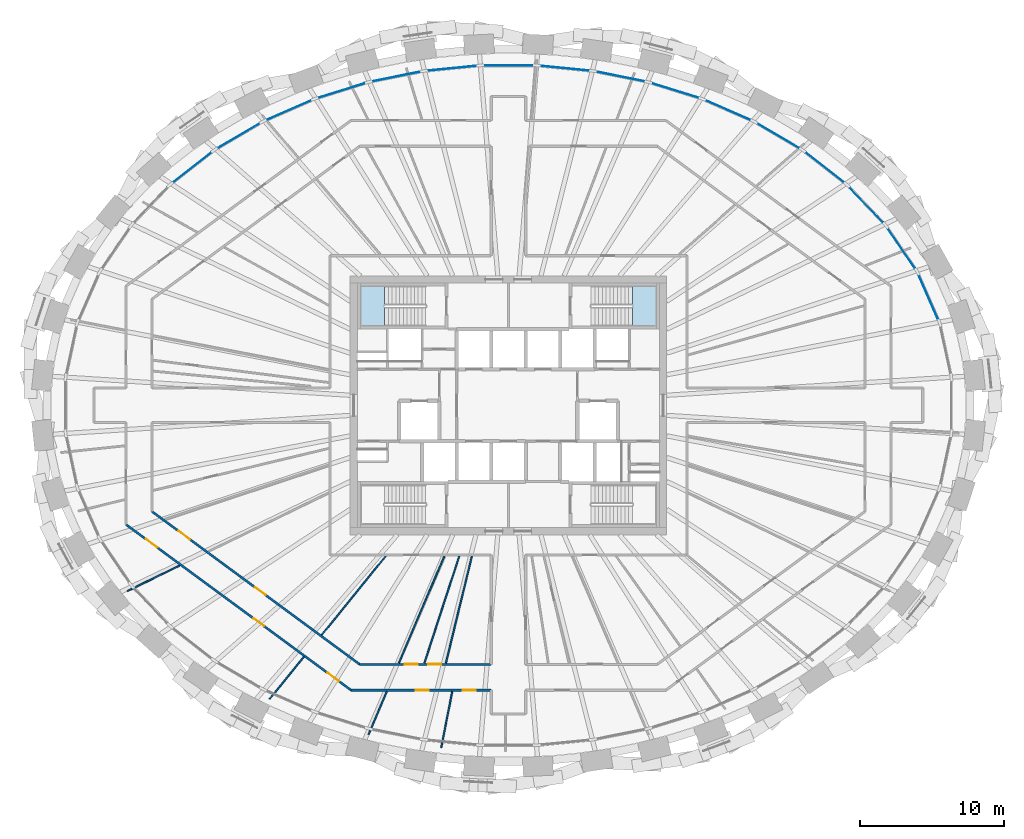
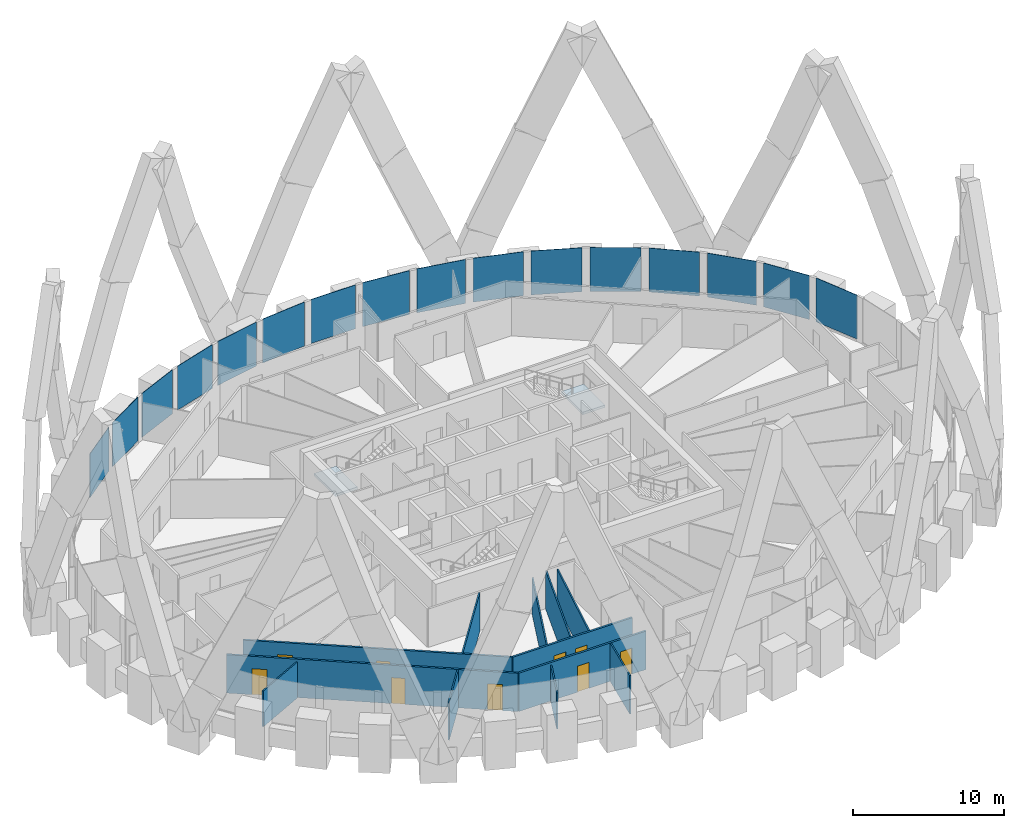
# One storey, part 7 of 15: 16 plates, 12 walls, 9 doors, 2 slabs, 9 openings, 3 elements without a shape of their own.
"""IFC4 building model written with IfcOpenShell, lengths in metres."""

from ifc_helpers import new_model, si_unit, direction, frame, frame_2d, origin, origin_2d, place, context, subcontext, project, spatial, polyline, rectangle, outline, extrude, source, transform, mapped, material, layer, layer_set, type_object, element, fill, aggregate, save


model = new_model("IFC4")

# Units and contexts
model_context = context("Model", 3, precision=1e-05, world=origin(), true_north=direction((0.0, 1.0)))
body_context = subcontext(model_context, "Body", "Model", "MODEL_VIEW")
ifc_project = project(units=[si_unit("LENGTHUNIT", "METRE"), si_unit("AREAUNIT", "SQUARE_METRE"), si_unit("VOLUMEUNIT", "CUBIC_METRE"), si_unit("PLANEANGLEUNIT", "RADIAN"), si_unit("MASSUNIT", "GRAM", prefix="KILO")], contexts=[model_context])

# Site, building, storey
site_placement = place(None, origin())
site = spatial("IfcSite", under=ifc_project, at=site_placement, CompositionType="ELEMENT")
building_placement = place(site_placement, origin())
building = spatial("IfcBuilding", under=site, at=building_placement, Name="Embergate Tower", CompositionType="ELEMENT")
storey_placement = place(building_placement, frame((0.0, 0.0, 277.300048828125)))
storey = spatial("IfcBuildingStorey", under=building, at=storey_placement, Name="L64", CompositionType="ELEMENT", Elevation=277.300048828125)

# Curtain wall, plates
ifc_material_1 = material(Name="Aluminium and glass", Category="aluminium")
curtain_wall_type = type_object("IfcCurtainWallType", Name="Recessed office glazing", PredefinedType="NOTDEFINED", material=ifc_material_1)
curtain_wall_placement = place(storey_placement, origin())
curtain_wall = element("IfcCurtainWall", 1, at=curtain_wall_placement, inside=storey, type_object=curtain_wall_type, Name="Recessed office glazing ring", ObjectType="RECESSED OFFICE GLAZING", PredefinedType="USERDEFINED")
ifc_material_2 = material(Name="Triple glazing, low-emissivity coating", Category="glass")
ifc_layer_1 = layer(ifc_material_2, 0.035888671875)
ifc_layer_set_1 = layer_set([ifc_layer_1], Name="Triple glazing, low-emissivity coating")
plate_type = type_object("IfcPlateType", Name="Office glazing unit", PredefinedType="CURTAIN_PANEL", material=ifc_layer_set_1)
shared_shape_1 = source(origin(), body_context, "Body", "SweptSolid", [
    extrude(rectangle(XDim=3.36572265625, YDim=0.035888671875, at=origin_2d()), origin(), (0.0, 0.0, 1.0), 3.550048828125),
])
plate_1_placement = place(storey_placement, frame((29.1826171875, 7.509765625, 0.14990234375), z_axis=(0.0, 0.0, 1.0), x_axis=(-0.401658494584, 0.915789524797, 0.0)))
plate_1 = element("IfcPlate", 2, at=plate_1_placement, type_object=plate_type, Name="CW panel 2.1", PredefinedType="CURTAIN_PANEL", context=body_context, shape_type="MappedRepresentation", body=[
    mapped(shared_shape_1, transform((0.0, 0.0, 0.0))),
])
shared_shape_2 = source(origin(), body_context, "Body", "SweptSolid", [
    extrude(rectangle(XDim=3.37451171875, YDim=0.035888671875, at=origin_2d()), origin(), (0.0, 0.0, 1.0), 3.550048828125),
])
plate_2_placement = place(storey_placement, frame((27.30712890625, 10.899169921875, 0.14990234375), z_axis=(0.0, 0.0, 1.0), x_axis=(-0.562347514787, 0.826901005328, 0.0)))
plate_2 = element("IfcPlate", 3, at=plate_2_placement, type_object=plate_type, Name="CW panel 3.1", PredefinedType="CURTAIN_PANEL", context=body_context, shape_type="MappedRepresentation", body=[
    mapped(shared_shape_2, transform((0.0, 0.0, 0.0))),
])
shared_shape_3 = source(origin(), body_context, "Body", "SweptSolid", [
    extrude(rectangle(XDim=3.3828125, YDim=0.035888671875, at=origin_2d()), origin(), (0.0, 0.0, 1.0), 3.550048828125),
])
plate_3_placement = place(storey_placement, frame((24.865478515625, 13.921630859375, 0.14990234375), z_axis=(0.0, 0.0, 1.0), x_axis=(-0.6901388367, 0.723676990154, 0.0)))
plate_3 = element("IfcPlate", 4, at=plate_3_placement, type_object=plate_type, Name="CW panel 4.1", PredefinedType="CURTAIN_PANEL", context=body_context, shape_type="MappedRepresentation", body=[
    mapped(shared_shape_3, transform((0.0, 0.0, 0.0))),
])
shared_shape_4 = source(origin(), body_context, "Body", "SweptSolid", [
    extrude(rectangle(XDim=3.390380859375, YDim=0.035888671875, at=origin_2d()), origin(), (0.0, 0.0, 1.0), 3.550048828125),
])
plate_4_placement = place(storey_placement, frame((21.977294921875, 16.536865234375, 0.14990234375), z_axis=(0.0, 0.0, 1.0), x_axis=(-0.788323340765, 0.615261172515, 0.0)))
plate_4 = element("IfcPlate", 5, at=plate_4_placement, type_object=plate_type, Name="CW panel 5.1", PredefinedType="CURTAIN_PANEL", context=body_context, shape_type="MappedRepresentation", body=[
    mapped(shared_shape_4, transform((0.0, 0.0, 0.0))),
])
plate_5_placement = place(storey_placement, frame((-21.977294921875, 16.536865234375, 0.14990234375), z_axis=(0.0, 0.0, 1.0), x_axis=(-0.788323340765, -0.615261172515, 0.0)))
plate_5 = element("IfcPlate", 6, at=plate_5_placement, type_object=plate_type, Name="CW panel 17.1", PredefinedType="CURTAIN_PANEL", context=body_context, shape_type="MappedRepresentation", body=[
    mapped(shared_shape_4, transform((0.0, 0.0, 0.0))),
])
shared_shape_5 = source(origin(), body_context, "Body", "SweptSolid", [
    extrude(rectangle(XDim=3.39599609375, YDim=0.035888671875, at=origin_2d()), origin(), (0.0, 0.0, 1.0), 3.550048828125),
])
plate_6_placement = place(storey_placement, frame((18.748046875, 18.732177734375, 0.14990234375), z_axis=(0.0, 0.0, 1.0), x_axis=(-0.862054936934, 0.506814843614, 0.0)))
plate_6 = element("IfcPlate", 7, at=plate_6_placement, type_object=plate_type, Name="CW panel 6.1", PredefinedType="CURTAIN_PANEL", context=body_context, shape_type="MappedRepresentation", body=[
    mapped(shared_shape_5, transform((0.0, 0.0, 0.0))),
])
plate_7_placement = place(storey_placement, frame((-18.748046875, 18.732177734375, 0.14990234375), z_axis=(0.0, 0.0, 1.0), x_axis=(-0.862054936934, -0.506814843614, 0.0)))
plate_7 = element("IfcPlate", 8, at=plate_7_placement, type_object=plate_type, Name="CW panel 16.1", PredefinedType="CURTAIN_PANEL", context=body_context, shape_type="MappedRepresentation", body=[
    mapped(shared_shape_5, transform((0.0, 0.0, 0.0))),
])
shared_shape_6 = source(origin(), body_context, "Body", "SweptSolid", [
    extrude(rectangle(XDim=3.400634765625, YDim=0.035888671875, at=origin_2d()), origin(), (0.0, 0.0, 1.0), 3.550048828125),
])
plate_8_placement = place(storey_placement, frame((15.263916015625, 20.509765625, 0.14990234375), z_axis=(0.0, 0.0, 1.0), x_axis=(-0.916236910986, 0.400636896638, 0.0)))
plate_8 = element("IfcPlate", 9, at=plate_8_placement, type_object=plate_type, Name="CW panel 7.1", PredefinedType="CURTAIN_PANEL", context=body_context, shape_type="MappedRepresentation", body=[
    mapped(shared_shape_6, transform((0.0, 0.0, 0.0))),
])
plate_9_placement = place(storey_placement, frame((-15.263916015625, 20.509765625, 0.14990234375), z_axis=(0.0, 0.0, 1.0), x_axis=(-0.916236910986, -0.400636896638, 0.0)))
plate_9 = element("IfcPlate", 10, at=plate_9_placement, type_object=plate_type, Name="CW panel 15.1", PredefinedType="CURTAIN_PANEL", context=body_context, shape_type="MappedRepresentation", body=[
    mapped(shared_shape_6, transform((0.0, 0.0, 0.0))),
])
shared_shape_7 = source(origin(), body_context, "Body", "SweptSolid", [
    extrude(rectangle(XDim=3.40380859375, YDim=0.035888671875, at=origin_2d()), origin(), (0.0, 0.0, 1.0), 3.550048828125),
])
plate_10_placement = place(storey_placement, frame((11.5947265625, 21.87841796875, 0.14990234375), z_axis=(0.0, 0.0, 1.0), x_axis=(-0.954772736126, 0.297336547283, 0.0)))
plate_10 = element("IfcPlate", 11, at=plate_10_placement, type_object=plate_type, Name="CW panel 8.1", PredefinedType="CURTAIN_PANEL", context=body_context, shape_type="MappedRepresentation", body=[
    mapped(shared_shape_7, transform((0.0, 0.0, 0.0))),
])
plate_11_placement = place(storey_placement, frame((-11.5947265625, 21.87841796875, 0.14990234375), z_axis=(0.0, 0.0, 1.0), x_axis=(-0.954772736126, -0.297336547283, 0.0)))
plate_11 = element("IfcPlate", 12, at=plate_11_placement, type_object=plate_type, Name="CW panel 14.1", PredefinedType="CURTAIN_PANEL", context=body_context, shape_type="MappedRepresentation", body=[
    mapped(shared_shape_7, transform((0.0, 0.0, 0.0))),
])
shared_shape_8 = source(origin(), body_context, "Body", "SweptSolid", [
    extrude(rectangle(XDim=3.406005859375, YDim=0.035888671875, at=origin_2d()), origin(), (0.0, 0.0, 1.0), 3.550048828125),
])
plate_12_placement = place(storey_placement, frame((7.796875, 22.847900390625, 0.14990234375), z_axis=(0.0, 0.0, 1.0), x_axis=(-0.980475907409, 0.196639250889, 0.0)))
plate_12 = element("IfcPlate", 13, at=plate_12_placement, type_object=plate_type, Name="CW panel 9.1", PredefinedType="CURTAIN_PANEL", context=body_context, shape_type="MappedRepresentation", body=[
    mapped(shared_shape_8, transform((0.0, 0.0, 0.0))),
])
plate_13_placement = place(storey_placement, frame((-7.796875, 22.847900390625, 0.14990234375), z_axis=(0.0, 0.0, 1.0), x_axis=(-0.980475907409, -0.196639250889, 0.0)))
plate_13 = element("IfcPlate", 14, at=plate_13_placement, type_object=plate_type, Name="CW panel 13.1", PredefinedType="CURTAIN_PANEL", context=body_context, shape_type="MappedRepresentation", body=[
    mapped(shared_shape_8, transform((0.0, 0.0, 0.0))),
])
shared_shape_9 = source(origin(), body_context, "Body", "SweptSolid", [
    extrude(rectangle(XDim=3.4072265625, YDim=0.035888671875, at=origin_2d()), origin(), (0.0, 0.0, 1.0), 3.550048828125),
])
plate_14_placement = place(storey_placement, frame((3.91796875, 23.426025390625, 0.14990234375), z_axis=(0.0, 0.0, 1.0), x_axis=(-0.995203184788, 0.097829550688, 0.0)))
plate_14 = element("IfcPlate", 15, at=plate_14_placement, type_object=plate_type, Name="CW panel 10.1", PredefinedType="CURTAIN_PANEL", context=body_context, shape_type="MappedRepresentation", body=[
    mapped(shared_shape_9, transform((0.0, 0.0, 0.0))),
])
plate_15_placement = place(storey_placement, frame((-3.91796875, 23.426025390625, 0.14990234375), z_axis=(0.0, 0.0, 1.0), x_axis=(-0.995203184788, -0.097829550688, 0.0)))
plate_15 = element("IfcPlate", 16, at=plate_15_placement, type_object=plate_type, Name="CW panel 12.1", PredefinedType="CURTAIN_PANEL", context=body_context, shape_type="MappedRepresentation", body=[
    mapped(shared_shape_9, transform((0.0, 0.0, 0.0))),
])
shared_shape_10 = source(origin(), body_context, "Body", "SweptSolid", [
    extrude(rectangle(XDim=3.40771484375, YDim=0.035888671875, at=origin_2d()), origin(), (0.0, 0.0, 1.0), 3.550048828125),
])
plate_16_placement = place(storey_placement, frame((0.0, 23.6181640625, 0.14990234375), z_axis=(0.0, 0.0, 1.0), x_axis=(-1.0, 0.0, 0.0)))
plate_16 = element("IfcPlate", 17, at=plate_16_placement, type_object=plate_type, Name="CW panel 11.1", PredefinedType="CURTAIN_PANEL", context=body_context, shape_type="MappedRepresentation", body=[
    mapped(shared_shape_10, transform((0.0, 0.0, 0.0))),
])
aggregate(curtain_wall, [plate_1, plate_2, plate_3, plate_4, plate_6, plate_8, plate_10, plate_12, plate_14, plate_16, plate_15, plate_13, plate_11, plate_9, plate_7, plate_5])

# Stair, slab
ifc_material_3 = material(Name="Exit stair")
stair_type = type_object("IfcStairType", Name="Exit stair", PredefinedType="HALF_TURN_STAIR", material=ifc_material_3)
stair_1_placement = place(storey_placement, origin())
stair_1 = element("IfcStair", 18, at=stair_1_placement, inside=storey, type_object=stair_type, Name="L64 Exit stair 1", PredefinedType="HALF_TURN_STAIR")
ifc_material_4 = material(Name="Concrete C40", Category="concrete")
ifc_layer_2 = layer(ifc_material_4, 0.199951171875)
ifc_layer_set_2 = layer_set([ifc_layer_2], Name="Concrete C40")
slab_type = type_object("IfcSlabType", Name="Stair landing reinforced concrete", PredefinedType="LANDING", material=ifc_layer_set_2)
shared_shape_11 = source(origin(), body_context, "Body", "SweptSolid", [
    extrude(outline(polyline([(0.0, 0.0), (1.68994140625, 0.0), (1.68994140625, 2.800048828125), (0.0, 2.800048828125), (0.0, 0.0)])), origin(), (0.0, 0.0, 1.0), 0.199951171875),
])
slab_1_placement = place(storey_placement, frame((-10.300048828125, 5.5, 1.75)))
slab_1 = element("IfcSlab", 19, at=slab_1_placement, type_object=slab_type, Name="ST1 landing 1", PredefinedType="LANDING", context=body_context, shape_type="MappedRepresentation", body=[
    mapped(shared_shape_11, transform((0.0, 0.0, 0.0))),
])
aggregate(stair_1, [slab_1])

stair_2_placement = place(storey_placement, origin())
stair_2 = element("IfcStair", 20, at=stair_2_placement, inside=storey, type_object=stair_type, Name="L64 Exit stair 2", PredefinedType="HALF_TURN_STAIR")
slab_2_placement = place(storey_placement, frame((8.610107421875, 5.5, 1.75)))
slab_2 = element("IfcSlab", 21, at=slab_2_placement, type_object=slab_type, Name="ST2 landing 1", PredefinedType="LANDING", context=body_context, shape_type="MappedRepresentation", body=[
    mapped(shared_shape_11, transform((0.0, 0.0, 0.0))),
])
aggregate(stair_2, [slab_2])

# Walls
ifc_material_5 = material(Name="Partition dry-lined 100")
ifc_layer_3 = layer(ifc_material_5, 0.10009765625)
ifc_layer_set_3 = layer_set([ifc_layer_3], Name="Partition dry-lined 100")
wall_type_1 = type_object("IfcWallType", Name="Partition dry-lined 100", PredefinedType="PARTITIONING", material=ifc_layer_set_3)
shared_shape_12 = source(origin(), body_context, "Body", "SweptSolid", [
    extrude(rectangle(XDim=4.029052734375, YDim=0.10009765625, at=frame_2d((2.0146484375, 0.0))), origin(), (0.0, 0.0, 1.0), 2.89990234375),
])
wall_1_placement = place(storey_placement, frame((-22.863037109375, -11.14306640625, 0.0), z_axis=(0.0, 0.0, 1.0), x_axis=(-0.898961115704, -0.43802843795, 0.0)))
element("IfcWall", 22, at=wall_1_placement, inside=storey, type_object=wall_type_1, Name="IP-1 wall", PredefinedType="PARTITIONING", context=body_context, shape_type="MappedRepresentation", body=[
    mapped(shared_shape_12, transform((0.0, 0.0, 0.0))),
])
shared_shape_13 = source(origin(), body_context, "Body", "SweptSolid", [
    extrude(rectangle(XDim=3.234619140625, YDim=0.10009765625, at=frame_2d((1.6171875, 0.0))), origin(), (0.0, 0.0, 1.0), 2.89990234375),
])
wall_2_placement = place(storey_placement, frame((-8.45703125, -19.89599609375, 0.0), z_axis=(0.0, 0.0, 1.0), x_axis=(-0.391047939918, -0.920370310628, 0.0)))
element("IfcWall", 23, at=wall_2_placement, inside=storey, type_object=wall_type_1, Name="IP-1 wall", PredefinedType="PARTITIONING", context=body_context, shape_type="MappedRepresentation", body=[
    mapped(shared_shape_13, transform((0.0, 0.0, 0.0))),
])
shared_shape_14 = source(origin(), body_context, "Body", "SweptSolid", [
    extrude(rectangle(XDim=8.053955078125, YDim=0.10009765625, at=frame_2d((4.02685546875, 0.0))), origin(), (0.0, 0.0, 1.0), 2.89990234375),
])
wall_3_placement = place(storey_placement, frame((-4.4609375, -10.4951171875, 0.0), z_axis=(0.0, 0.0, 1.0), x_axis=(-0.391254252204, -0.920282625139, 0.0)))
element("IfcWall", 24, at=wall_3_placement, inside=storey, type_object=wall_type_1, Name="IP-1 wall", PredefinedType="PARTITIONING", context=body_context, shape_type="MappedRepresentation", body=[
    mapped(shared_shape_14, transform((0.0, 0.0, 0.0))),
])
shared_shape_15 = source(origin(), body_context, "Body", "SweptSolid", [
    extrude(rectangle(XDim=7.6435546875, YDim=0.10009765625, at=frame_2d((3.82177734375, 0.0))), origin(), (0.0, 0.0, 1.0), 2.89990234375),
])
wall_4_placement = place(storey_placement, frame((-2.54296875, -10.487060546875, 0.0), z_axis=(0.0, 0.0, 1.0), x_axis=(-0.235758177272, -0.97181175227, 0.0)))
element("IfcWall", 25, at=wall_4_placement, inside=storey, type_object=wall_type_1, Name="IP-1 wall", PredefinedType="PARTITIONING", context=body_context, shape_type="MappedRepresentation", body=[
    mapped(shared_shape_15, transform((0.0, 0.0, 0.0))),
])

# Wall, openings, doors
ifc_material_6 = material(Name="Corridor wall dry-lined 150")
ifc_layer_4 = layer(ifc_material_6, 0.14990234375)
ifc_layer_set_4 = layer_set([ifc_layer_4], Name="Corridor wall dry-lined 150")
wall_type_2 = type_object("IfcWallType", Name="Corridor wall dry-lined 150", PredefinedType="PARTITIONING", material=ifc_layer_set_4)
shared_shape_16 = source(origin(), body_context, "Body", "SweptSolid", [
    extrude(rectangle(XDim=19.429931640625, YDim=0.14990234375, at=frame_2d((9.71484375, 0.0))), origin(), (0.0, 0.0, 1.0), 3.099853515625),
])
wall_5_placement = place(storey_placement, frame((-26.5810546875, -8.283935546875, 0.0), z_axis=(0.0, 0.0, 1.0), x_axis=(0.8053507143, -0.592798639486, 0.0)))
wall_5 = element("IfcWall", 26, at=wall_5_placement, inside=storey, type_object=wall_type_2, Name="IP-2 wall", PredefinedType="PARTITIONING", context=body_context, shape_type="MappedRepresentation", body=[
    mapped(shared_shape_16, transform((0.0, 0.0, 0.0))),
])
shared_shape_17 = source(origin(), body_context, "Body", "SweptSolid", [
    extrude(rectangle(XDim=0.89990234375, YDim=2.10009765625, at=frame_2d((0.449951171875, 1.050048828125))), frame((0.0, 0.0849609375, 0.0), z_axis=(0.0, -1.0, 0.0), x_axis=(1.0, 0.0, 0.0)), (0.0, 0.0, 1.0), 0.169921875),
])
opening_1_placement = place(wall_5_placement, frame((11.000732421875, 0.0, 0.0)))
opening_1 = element("IfcOpeningElement", 27, at=opening_1_placement, cuts=wall_5, Name="Opening IF-1c", PredefinedType="OPENING", context=body_context, shape_type="MappedRepresentation", body=[
    mapped(shared_shape_17, transform((0.0, 0.0, 0.0))),
])
shared_shape_18 = source(origin(), body_context, "Body", "SweptSolid", [
    extrude(rectangle(XDim=1.0, YDim=2.10009765625, at=frame_2d((0.5, 1.050048828125))), frame((0.0, 0.0849609375, 0.0), z_axis=(0.0, -1.0, 0.0), x_axis=(1.0, 0.0, 0.0)), (0.0, 0.0, 1.0), 0.169921875),
])
opening_2_placement = place(wall_5_placement, frame((17.377685546875, 0.0, 0.0)))
opening_2 = element("IfcOpeningElement", 28, at=opening_2_placement, cuts=wall_5, Name="Opening ID-2", PredefinedType="OPENING", context=body_context, shape_type="MappedRepresentation", body=[
    mapped(shared_shape_18, transform((0.0, 0.0, 0.0))),
])
opening_3_placement = place(wall_5_placement, frame((1.71484375, 0.0, 0.0)))
opening_3 = element("IfcOpeningElement", 29, at=opening_3_placement, cuts=wall_5, Name="Opening ID-2", PredefinedType="OPENING", context=body_context, shape_type="MappedRepresentation", body=[
    mapped(shared_shape_18, transform((0.0, 0.0, 0.0))),
])
ifc_material_7 = material(Name="Escape fire door 900")
door_type_1 = type_object("IfcDoorType", Name="Escape fire door 900", OperationType="SINGLE_SWING_LEFT", PredefinedType="DOOR", material=ifc_material_7)
shared_shape_19 = source(origin(), body_context, "Body", "SweptSolid", [
    extrude(rectangle(XDim=0.89990234375, YDim=2.10009765625, at=frame_2d((0.449951171875, 1.050048828125))), frame((0.0, 0.02490234375, 0.0), z_axis=(0.0, -1.0, 0.0), x_axis=(1.0, 0.0, 0.0)), (0.0, 0.0, 1.0), 0.050048828125),
])
door_1_placement = place(opening_1_placement, origin())
door_1 = element("IfcDoor", 30, at=door_1_placement, inside=storey, type_object=door_type_1, Name="IF-1 door", OperationType="SINGLE_SWING_LEFT", OverallHeight=2.10009765625, OverallWidth=0.89990234375, PredefinedType="DOOR", context=body_context, shape_type="MappedRepresentation", body=[
    mapped(shared_shape_19, transform((0.0, 0.0, 0.0))),
])
fill(opening_1, door_1)
ifc_material_8 = material(Name="Interior door 1000")
door_type_2 = type_object("IfcDoorType", Name="Interior door 1000", OperationType="SINGLE_SWING_LEFT", PredefinedType="DOOR", material=ifc_material_8)
shared_shape_20 = source(origin(), body_context, "Body", "SweptSolid", [
    extrude(rectangle(XDim=1.0, YDim=2.10009765625, at=frame_2d((0.5, 1.050048828125))), frame((0.0, 0.02490234375, 0.0), z_axis=(0.0, -1.0, 0.0), x_axis=(1.0, 0.0, 0.0)), (0.0, 0.0, 1.0), 0.050048828125),
])
door_2_placement = place(opening_2_placement, origin())
door_2 = element("IfcDoor", 31, at=door_2_placement, inside=storey, type_object=door_type_2, Name="ID-2 door", OperationType="SINGLE_SWING_RIGHT", OverallHeight=2.10009765625, OverallWidth=1.0, PredefinedType="DOOR", context=body_context, shape_type="MappedRepresentation", body=[
    mapped(shared_shape_20, transform((0.0, 0.0, 0.0))),
])
fill(opening_2, door_2)
door_3_placement = place(opening_3_placement, origin())
door_3 = element("IfcDoor", 32, at=door_3_placement, inside=storey, type_object=door_type_2, Name="ID-2 door", OperationType="SINGLE_SWING_RIGHT", OverallHeight=2.10009765625, OverallWidth=1.0, PredefinedType="DOOR", context=body_context, shape_type="MappedRepresentation", body=[
    mapped(shared_shape_20, transform((0.0, 0.0, 0.0))),
])
fill(opening_3, door_3)

shared_shape_21 = source(origin(), body_context, "Body", "SweptSolid", [
    extrude(rectangle(XDim=9.733154296875, YDim=0.14990234375, at=frame_2d((4.86669921875, 0.0))), origin(), (0.0, 0.0, 1.0), 3.099853515625),
])
wall_6_placement = place(storey_placement, frame((-10.93310546875, -19.802001953125, 0.0), z_axis=(0.0, 0.0, 1.0), x_axis=(1.0, 0.0, 0.0)))
wall_6 = element("IfcWall", 33, at=wall_6_placement, inside=storey, type_object=wall_type_2, Name="IP-2 wall", PredefinedType="PARTITIONING", context=body_context, shape_type="MappedRepresentation", body=[
    mapped(shared_shape_21, transform((0.0, 0.0, 0.0))),
])
opening_4_placement = place(wall_6_placement, frame((4.48095703125, 0.0, 0.0)))
opening_4 = element("IfcOpeningElement", 34, at=opening_4_placement, cuts=wall_6, Name="Opening IF-1c", PredefinedType="OPENING", context=body_context, shape_type="MappedRepresentation", body=[
    mapped(shared_shape_17, transform((0.0, 0.0, 0.0))),
])
opening_5_placement = place(wall_6_placement, frame((7.759033203125, 0.0, 0.0)))
opening_5 = element("IfcOpeningElement", 35, at=opening_5_placement, cuts=wall_6, Name="Opening IF-1c", PredefinedType="OPENING", context=body_context, shape_type="MappedRepresentation", body=[
    mapped(shared_shape_17, transform((0.0, 0.0, 0.0))),
])
door_4_placement = place(opening_4_placement, origin())
door_4 = element("IfcDoor", 36, at=door_4_placement, inside=storey, type_object=door_type_1, Name="IF-1 door", OperationType="SINGLE_SWING_RIGHT", OverallHeight=2.10009765625, OverallWidth=0.89990234375, PredefinedType="DOOR", context=body_context, shape_type="MappedRepresentation", body=[
    mapped(shared_shape_19, transform((0.0, 0.0, 0.0))),
])
fill(opening_4, door_4)
door_5_placement = place(opening_5_placement, origin())
door_5 = element("IfcDoor", 37, at=door_5_placement, inside=storey, type_object=door_type_1, Name="IF-1 door", OperationType="SINGLE_SWING_LEFT", OverallHeight=2.10009765625, OverallWidth=0.89990234375, PredefinedType="DOOR", context=body_context, shape_type="MappedRepresentation", body=[
    mapped(shared_shape_19, transform((0.0, 0.0, 0.0))),
])
fill(opening_5, door_5)

shared_shape_22 = source(origin(), body_context, "Body", "SweptSolid", [
    extrude(rectangle(XDim=17.9287109375, YDim=0.14990234375, at=frame_2d((8.96435546875, 0.0))), origin(), (0.0, 0.0, 1.0), 3.099853515625),
])
wall_7_placement = place(storey_placement, frame((-10.342041015625, -18.001953125, 0.0), z_axis=(0.0, 0.0, 1.0), x_axis=(-0.805356928681, 0.592790196803, 0.0)))
wall_7 = element("IfcWall", 38, at=wall_7_placement, inside=storey, type_object=wall_type_2, Name="IP-2 wall", PredefinedType="PARTITIONING", context=body_context, shape_type="MappedRepresentation", body=[
    mapped(shared_shape_22, transform((0.0, 0.0, 0.0))),
])
opening_6_placement = place(wall_7_placement, frame((8.131103515625, 0.0, 0.0)))
opening_6 = element("IfcOpeningElement", 39, at=opening_6_placement, cuts=wall_7, Name="Opening IF-1c", PredefinedType="OPENING", context=body_context, shape_type="MappedRepresentation", body=[
    mapped(shared_shape_17, transform((0.0, 0.0, 0.0))),
])
opening_7_placement = place(wall_7_placement, frame((14.636962890625, 0.0, 0.0)))
opening_7 = element("IfcOpeningElement", 40, at=opening_7_placement, cuts=wall_7, Name="Opening ID-2", PredefinedType="OPENING", context=body_context, shape_type="MappedRepresentation", body=[
    mapped(shared_shape_18, transform((0.0, 0.0, 0.0))),
])
door_6_placement = place(opening_6_placement, origin())
door_6 = element("IfcDoor", 41, at=door_6_placement, inside=storey, type_object=door_type_1, Name="IF-1 door", OperationType="SINGLE_SWING_RIGHT", OverallHeight=2.10009765625, OverallWidth=0.89990234375, PredefinedType="DOOR", context=body_context, shape_type="MappedRepresentation", body=[
    mapped(shared_shape_19, transform((0.0, 0.0, 0.0))),
])
fill(opening_6, door_6)
door_7_placement = place(opening_7_placement, origin())
door_7 = element("IfcDoor", 42, at=door_7_placement, inside=storey, type_object=door_type_2, Name="ID-2 door", OperationType="SINGLE_SWING_LEFT", OverallHeight=2.10009765625, OverallWidth=1.0, PredefinedType="DOOR", context=body_context, shape_type="MappedRepresentation", body=[
    mapped(shared_shape_20, transform((0.0, 0.0, 0.0))),
])
fill(opening_7, door_7)

shared_shape_23 = source(origin(), body_context, "Body", "SweptSolid", [
    extrude(rectangle(XDim=9.14208984375, YDim=0.14990234375, at=frame_2d((4.571044921875, 0.0))), origin(), (0.0, 0.0, 1.0), 3.099853515625),
])
wall_8_placement = place(storey_placement, frame((-1.199951171875, -18.001953125, 0.0), z_axis=(0.0, 0.0, 1.0), x_axis=(-1.0, 0.0, 0.0)))
wall_8 = element("IfcWall", 43, at=wall_8_placement, inside=storey, type_object=wall_type_2, Name="IP-2 wall", PredefinedType="PARTITIONING", context=body_context, shape_type="MappedRepresentation", body=[
    mapped(shared_shape_23, transform((0.0, 0.0, 0.0))),
])
opening_8_placement = place(wall_8_placement, frame((5.09912109375, 0.0, 0.0)))
opening_8 = element("IfcOpeningElement", 44, at=opening_8_placement, cuts=wall_8, Name="Opening IF-1c", PredefinedType="OPENING", context=body_context, shape_type="MappedRepresentation", body=[
    mapped(shared_shape_17, transform((0.0, 0.0, 0.0))),
])
opening_9_placement = place(wall_8_placement, frame((3.468017578125, 0.0, 0.0)))
opening_9 = element("IfcOpeningElement", 45, at=opening_9_placement, cuts=wall_8, Name="Opening IF-1c", PredefinedType="OPENING", context=body_context, shape_type="MappedRepresentation", body=[
    mapped(shared_shape_17, transform((0.0, 0.0, 0.0))),
])
door_8_placement = place(opening_8_placement, origin())
door_8 = element("IfcDoor", 46, at=door_8_placement, inside=storey, type_object=door_type_1, Name="IF-1 door", OperationType="SINGLE_SWING_LEFT", OverallHeight=2.10009765625, OverallWidth=0.89990234375, PredefinedType="DOOR", context=body_context, shape_type="MappedRepresentation", body=[
    mapped(shared_shape_19, transform((0.0, 0.0, 0.0))),
])
fill(opening_8, door_8)
door_9_placement = place(opening_9_placement, origin())
door_9 = element("IfcDoor", 47, at=door_9_placement, inside=storey, type_object=door_type_1, Name="IF-1 door", OperationType="SINGLE_SWING_LEFT", OverallHeight=2.10009765625, OverallWidth=0.89990234375, PredefinedType="DOOR", context=body_context, shape_type="MappedRepresentation", body=[
    mapped(shared_shape_19, transform((0.0, 0.0, 0.0))),
])
fill(opening_9, door_9)

# Walls
shared_shape_24 = source(origin(), body_context, "Body", "SweptSolid", [
    extrude(rectangle(XDim=3.78076171875, YDim=0.10009765625, at=frame_2d((1.890380859375, 0.0))), origin(), (0.0, 0.0, 1.0), 3.099853515625),
])
wall_9_placement = place(storey_placement, frame((-14.218017578125, -17.47705078125, 0.0), z_axis=(0.0, 0.0, 1.0), x_axis=(-0.631076271644, -0.77572078699, 0.0)))
element("IfcWall", 48, at=wall_9_placement, inside=storey, type_object=wall_type_1, Name="IP-1 wall", PredefinedType="PARTITIONING", context=body_context, shape_type="MappedRepresentation", body=[
    mapped(shared_shape_24, transform((0.0, 0.0, 0.0))),
])
shared_shape_25 = source(origin(), body_context, "Body", "SweptSolid", [
    extrude(rectangle(XDim=7.0322265625, YDim=0.10009765625, at=frame_2d((3.51611328125, 0.0))), origin(), (0.0, 0.0, 1.0), 3.099853515625),
])
wall_10_placement = place(storey_placement, frame((-8.548095703125, -10.507080078125, 0.0), z_axis=(0.0, 0.0, 1.0), x_axis=(-0.63110092236, -0.77570073211, 0.0)))
element("IfcWall", 49, at=wall_10_placement, inside=storey, type_object=wall_type_1, Name="IP-1 wall", PredefinedType="PARTITIONING", context=body_context, shape_type="MappedRepresentation", body=[
    mapped(shared_shape_25, transform((0.0, 0.0, 0.0))),
])
shared_shape_26 = source(origin(), body_context, "Body", "SweptSolid", [
    extrude(rectangle(XDim=3.978759765625, YDim=0.10009765625, at=frame_2d((1.9892578125, 0.0))), origin(), (0.0, 0.0, 1.0), 3.099853515625),
])
wall_11_placement = place(storey_placement, frame((-3.906982421875, -19.885986328125, 0.0), z_axis=(0.0, 0.0, 1.0), x_axis=(-0.192799110805, -0.981238249801, 0.0)))
element("IfcWall", 50, at=wall_11_placement, inside=storey, type_object=wall_type_1, Name="IP-1 wall", PredefinedType="PARTITIONING", context=body_context, shape_type="MappedRepresentation", body=[
    mapped(shared_shape_26, transform((0.0, 0.0, 0.0))),
])
shared_shape_27 = source(origin(), body_context, "Body", "SweptSolid", [
    extrude(rectangle(XDim=7.8046875, YDim=0.10009765625, at=frame_2d((3.90234375, 0.0))), origin(), (0.0, 0.0, 1.0), 3.099853515625),
])
wall_12_placement = place(storey_placement, frame((-3.419921875, -10.490966796875, 0.0), z_axis=(0.0, 0.0, 1.0), x_axis=(-0.310093130229, -0.950706185204, 0.0)))
element("IfcWall", 51, at=wall_12_placement, inside=storey, type_object=wall_type_1, Name="IP-1 wall", PredefinedType="PARTITIONING", context=body_context, shape_type="MappedRepresentation", body=[
    mapped(shared_shape_27, transform((0.0, 0.0, 0.0))),
])

save(model, "model.ifc")
